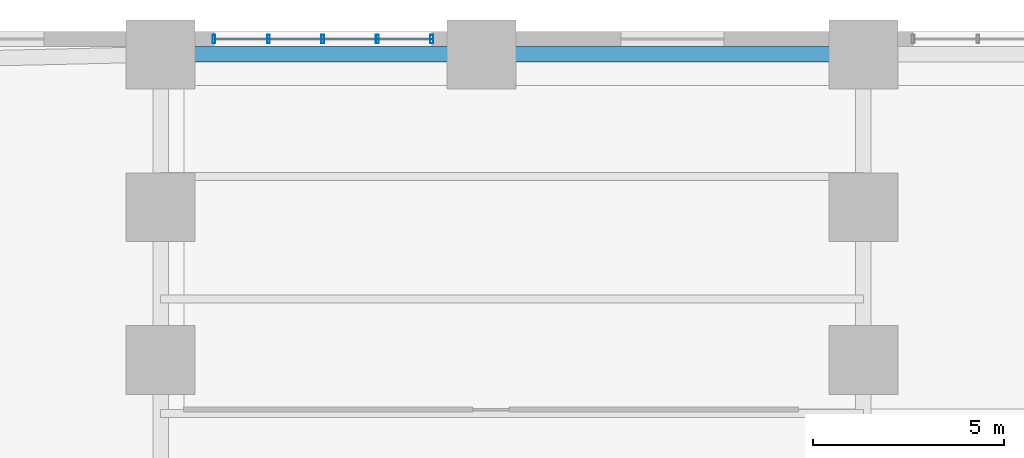
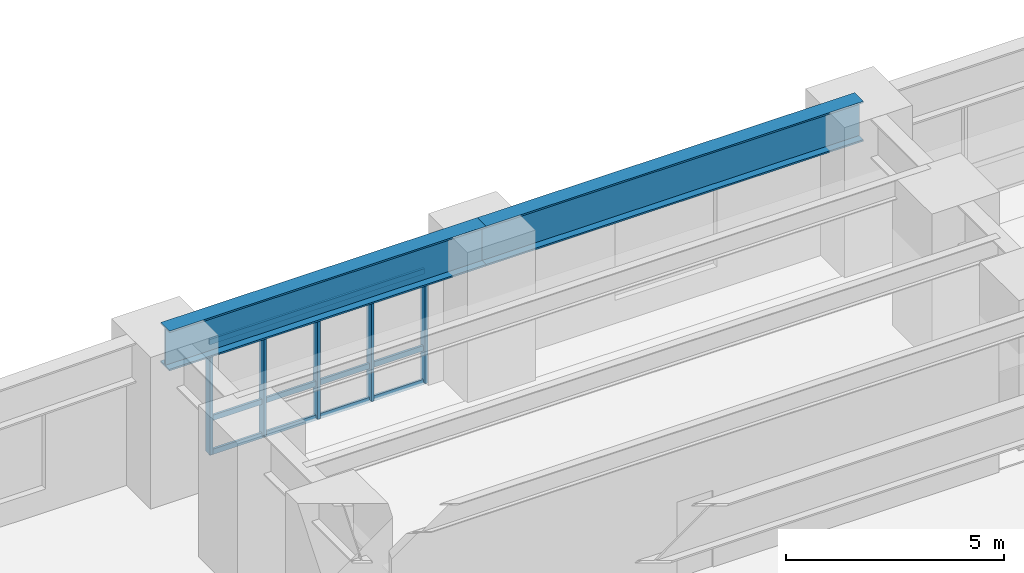
# One storey, part 2 of 11: 8 members, 2 beams, 1 element without a shape of its own.
"""IFC4 building model written with IfcOpenShell, lengths in metres."""

from ifc_helpers import new_model, si_unit, direction, frame, origin, origin_2d, place, context, subcontext, project, spatial, hollow_rectangle, i_section, extrude, source, transform, mapped, material, layer, layer_set, material_profile, profile_set, type_object, element, aggregate, save


model = new_model("IFC4")

# Units and contexts
model_context = context("Model", 3, precision=1e-05, world=origin(), true_north=direction((0.0, 1.0)))
body_context = subcontext(model_context, "Body", "Model", "MODEL_VIEW")
ifc_project = project(units=[si_unit("LENGTHUNIT", "METRE"), si_unit("AREAUNIT", "SQUARE_METRE"), si_unit("VOLUMEUNIT", "CUBIC_METRE"), si_unit("PLANEANGLEUNIT", "RADIAN"), si_unit("MASSUNIT", "GRAM", prefix="KILO")], contexts=[model_context])

# Site, building, storey
site_placement = place(None, origin())
site = spatial("IfcSite", under=ifc_project, at=site_placement, CompositionType="ELEMENT")
building_placement = place(site_placement, origin())
building = spatial("IfcBuilding", under=site, at=building_placement, Name="Kharzan Plaza Tower", CompositionType="ELEMENT")
storey_placement = place(building_placement, frame((0.0, 0.0, 9.0)))
storey = spatial("IfcBuildingStorey", under=building, at=storey_placement, Name="L02", CompositionType="ELEMENT", Elevation=9.0)

# Curtain wall, members
ifc_material_1 = material(Name="Unitised Bronze-Anodized Aluminium and Low-E Glass", Category="aluminium")
ifc_layer = layer(ifc_material_1, 0.199951171875)
ifc_layer_set = layer_set([ifc_layer], Name="Unitised Bronze-Anodized Aluminium and Low-E Glass")
curtain_wall_type = type_object("IfcCurtainWallType", Name="CW-PODIUM-1", PredefinedType="NOTDEFINED", material=ifc_layer_set)
curtain_wall_placement = place(storey_placement, origin())
curtain_wall = element("IfcCurtainWall", 1, at=curtain_wall_placement, inside=storey, type_object=curtain_wall_type, Name="L02 Podium West Gallery Curtain Wall", PredefinedType="NOTDEFINED")
ifc_material_2 = material(Name="Anodized Bronze Aluminium", Category="aluminium")
ifc_material_profile_1 = material_profile(ifc_material_2, hollow_rectangle(XDim=0.074951171875, YDim=0.219970703125, WallThickness=0.00390625, at=origin_2d()), Name="ALU-M220x75x4")
ifc_profile_set_1 = profile_set([ifc_material_profile_1], Name="Anodized Bronze Aluminium")
member_type_1 = type_object("IfcMemberType", Name="MEM-CW-MUL200", PredefinedType="MULLION", material=ifc_profile_set_1)
shared_shape_1 = source(origin(), body_context, "Body", "SweptSolid", [
    extrude(hollow_rectangle(XDim=0.074951171875, YDim=0.219970703125, WallThickness=0.00390625, at=origin_2d()), origin(), (0.0, 0.0, 1.0), 3.10009765625),
])
member_1_placement = place(storey_placement, frame((2.0, 49.800048828125, 0.0), z_axis=(0.0, 0.0, 1.0), x_axis=(1.0, 0.0, 0.0)))
member_1 = element("IfcMember", 2, at=member_1_placement, type_object=member_type_1, Name="L02 Curtain-Wall Mullion 00", PredefinedType="MULLION", context=body_context, shape_type="MappedRepresentation", body=[
    mapped(shared_shape_1, transform((0.0, 0.0, 0.0), x_axis=(1.0, 0.0, 0.0), y_axis=(0.0, 1.0, 0.0), z_axis=(0.0, 0.0, 1.0))),
])
member_2_placement = place(storey_placement, frame((3.425048828125, 49.800048828125, 0.0), z_axis=(0.0, 0.0, 1.0), x_axis=(1.0, 0.0, 0.0)))
member_2 = element("IfcMember", 3, at=member_2_placement, type_object=member_type_1, Name="L02 Curtain-Wall Mullion 01", PredefinedType="MULLION", context=body_context, shape_type="MappedRepresentation", body=[
    mapped(shared_shape_1, transform((0.0, 0.0, 0.0), x_axis=(1.0, 0.0, 0.0), y_axis=(0.0, 1.0, 0.0), z_axis=(0.0, 0.0, 1.0))),
])
member_3_placement = place(storey_placement, frame((4.85009765625, 49.800048828125, 0.0), z_axis=(0.0, 0.0, 1.0), x_axis=(1.0, 0.0, 0.0)))
member_3 = element("IfcMember", 4, at=member_3_placement, type_object=member_type_1, Name="L02 Curtain-Wall Mullion 02", PredefinedType="MULLION", context=body_context, shape_type="MappedRepresentation", body=[
    mapped(shared_shape_1, transform((0.0, 0.0, 0.0), x_axis=(1.0, 0.0, 0.0), y_axis=(0.0, 1.0, 0.0), z_axis=(0.0, 0.0, 1.0))),
])
member_4_placement = place(storey_placement, frame((6.27490234375, 49.800048828125, 0.0), z_axis=(0.0, 0.0, 1.0), x_axis=(1.0, 0.0, 0.0)))
member_4 = element("IfcMember", 5, at=member_4_placement, type_object=member_type_1, Name="L02 Curtain-Wall Mullion 03", PredefinedType="MULLION", context=body_context, shape_type="MappedRepresentation", body=[
    mapped(shared_shape_1, transform((0.0, 0.0, 0.0), x_axis=(1.0, 0.0, 0.0), y_axis=(0.0, 1.0, 0.0), z_axis=(0.0, 0.0, 1.0))),
])
member_5_placement = place(storey_placement, frame((7.699951171875, 49.800048828125, 0.0), z_axis=(0.0, 0.0, 1.0), x_axis=(1.0, 0.0, 0.0)))
member_5 = element("IfcMember", 6, at=member_5_placement, type_object=member_type_1, Name="L02 Curtain-Wall Mullion 04", PredefinedType="MULLION", context=body_context, shape_type="MappedRepresentation", body=[
    mapped(shared_shape_1, transform((0.0, 0.0, 0.0), x_axis=(1.0, 0.0, 0.0), y_axis=(0.0, 1.0, 0.0), z_axis=(0.0, 0.0, 1.0))),
])
ifc_material_profile_2 = material_profile(ifc_material_2, hollow_rectangle(XDim=0.06005859375, YDim=0.14990234375, WallThickness=0.00341796875, at=origin_2d()), Name="ALU-T150x60x3.5")
ifc_profile_set_2 = profile_set([ifc_material_profile_2], Name="Anodized Bronze Aluminium")
member_type_2 = type_object("IfcMemberType", Name="MEM-CW-TRN150", PredefinedType="USERDEFINED", material=ifc_profile_set_2)
shared_shape_2 = source(origin(), body_context, "Body", "SweptSolid", [
    extrude(hollow_rectangle(XDim=0.06005859375, YDim=0.14990234375, WallThickness=0.00341796875, at=origin_2d()), origin(), (0.0, 0.0, 1.0), 5.699951171875),
])
member_6_placement = place(storey_placement, frame((2.0, 49.800048828125, 0.0), z_axis=(1.0, 0.0, 0.0), x_axis=(0.0, 1.0, 0.0)))
member_6 = element("IfcMember", 7, at=member_6_placement, type_object=member_type_2, Name="L02 Curtain-Wall Transom 1", ObjectType="TRANSOM", PredefinedType="USERDEFINED", context=body_context, shape_type="MappedRepresentation", body=[
    mapped(shared_shape_2, transform((0.0, 0.0, 0.0), x_axis=(1.0, 0.0, 0.0), y_axis=(0.0, 1.0, 0.0), z_axis=(0.0, 0.0, 1.0))),
])
member_7_placement = place(storey_placement, frame((2.0, 49.800048828125, 0.949951171875), z_axis=(1.0, 0.0, 0.0), x_axis=(0.0, 1.0, 0.0)))
member_7 = element("IfcMember", 8, at=member_7_placement, type_object=member_type_2, Name="L02 Curtain-Wall Transom 2", ObjectType="TRANSOM", PredefinedType="USERDEFINED", context=body_context, shape_type="MappedRepresentation", body=[
    mapped(shared_shape_2, transform((0.0, 0.0, 0.0), x_axis=(1.0, 0.0, 0.0), y_axis=(0.0, 1.0, 0.0), z_axis=(0.0, 0.0, 1.0))),
])
member_8_placement = place(storey_placement, frame((2.0, 49.800048828125, 3.10009765625), z_axis=(1.0, 0.0, 0.0), x_axis=(0.0, 1.0, 0.0)))
member_8 = element("IfcMember", 9, at=member_8_placement, type_object=member_type_2, Name="L02 Curtain-Wall Transom 3", ObjectType="TRANSOM", PredefinedType="USERDEFINED", context=body_context, shape_type="MappedRepresentation", body=[
    mapped(shared_shape_2, transform((0.0, 0.0, 0.0), x_axis=(1.0, 0.0, 0.0), y_axis=(0.0, 1.0, 0.0), z_axis=(0.0, 0.0, 1.0))),
])
aggregate(curtain_wall, [member_1, member_2, member_3, member_4, member_5, member_6, member_7, member_8])

# Beams
ifc_material_3 = material(Name="Steel S355", Category="steel")
ifc_material_profile_3 = material_profile(ifc_material_3, i_section(OverallWidth=0.405029296875, OverallDepth=1.117919921875, WebThickness=0.02587890625, FlangeThickness=0.044921875, at=origin_2d()), Name="W1100x499")
ifc_profile_set_3 = profile_set([ifc_material_profile_3], Name="Steel S355")
beam_type = type_object("IfcBeamType", Name="BM-PG1100A", PredefinedType="BEAM", material=ifc_profile_set_3)
shared_shape_3 = source(origin(), body_context, "Body", "SweptSolid", [
    extrude(i_section(OverallWidth=0.405029296875, OverallDepth=1.117919921875, WebThickness=0.02587890625, FlangeThickness=0.044921875, at=origin_2d()), origin(), (0.0, 0.0, 1.0), 10.0),
])
beam_1_placement = place(storey_placement, frame((9.0, 49.39990234375, 3.69091796875), z_axis=(1.0, 0.0, 0.0), x_axis=(0.0, 1.0, 0.0)))
element("IfcBeam", 10, at=beam_1_placement, inside=storey, type_object=beam_type, Name="L02 Podium Primary Girder PG-10", PredefinedType="BEAM", context=body_context, shape_type="MappedRepresentation", body=[
    mapped(shared_shape_3, transform((0.0, 0.0, 0.0), x_axis=(1.0, 0.0, 0.0), y_axis=(0.0, 1.0, 0.0), z_axis=(0.0, 0.0, 1.0))),
])
shared_shape_4 = source(origin(), body_context, "Body", "SweptSolid", [
    extrude(i_section(OverallWidth=0.405029296875, OverallDepth=1.117919921875, WebThickness=0.02587890625, FlangeThickness=0.044921875, at=origin_2d()), origin(), (0.0, 0.0, 1.0), 8.39990234375),
])
beam_2_placement = place(storey_placement, frame((0.60009765625, 49.39990234375, 3.69091796875), z_axis=(1.0, 0.0, 0.0), x_axis=(0.0, 1.0, 0.0)))
element("IfcBeam", 11, at=beam_2_placement, inside=storey, type_object=beam_type, Name="L02 Podium Primary Girder PG-9", PredefinedType="BEAM", context=body_context, shape_type="MappedRepresentation", body=[
    mapped(shared_shape_4, transform((0.0, 0.0, 0.0), x_axis=(1.0, 0.0, 0.0), y_axis=(0.0, 1.0, 0.0), z_axis=(0.0, 0.0, 1.0))),
])

save(model, "model.ifc")
